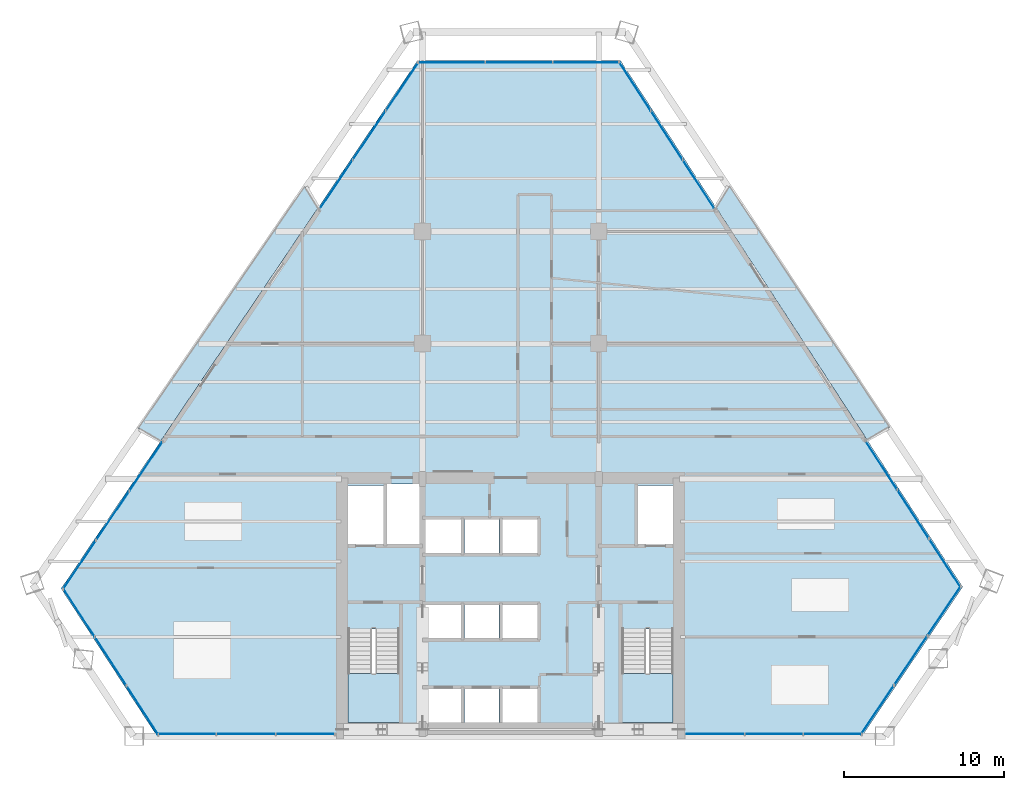
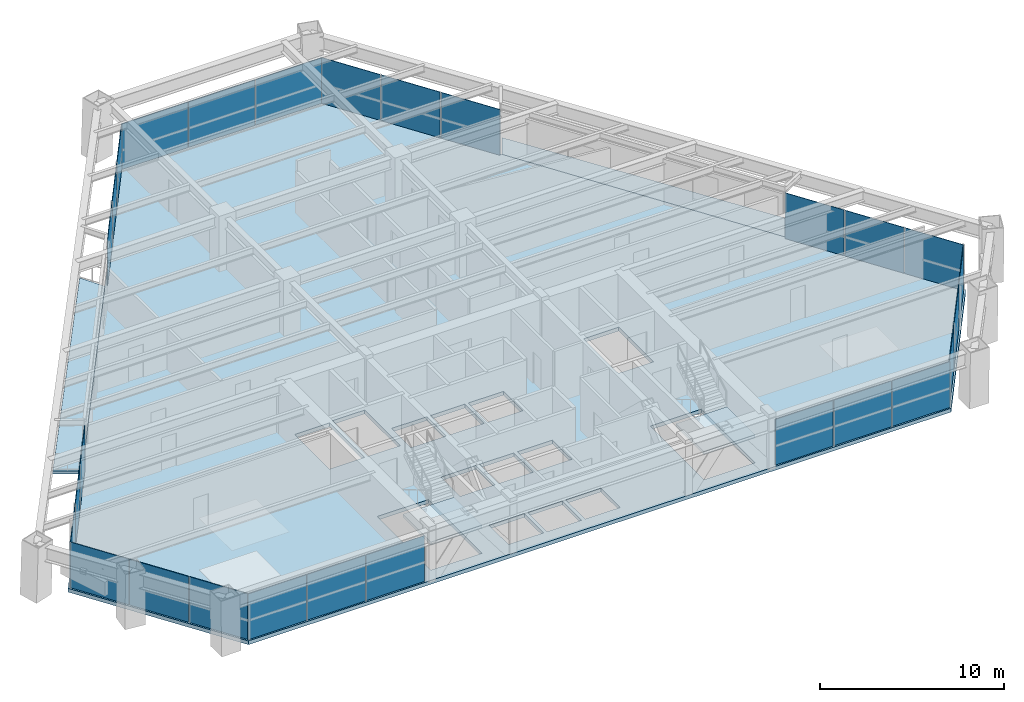
# One storey, part 9 of 14: 27 plates, 5 slabs, 11 elements without a shape of their own.
"""IFC4 building model written with IfcOpenShell, lengths in metres."""

from ifc_helpers import new_model, si_unit, direction, frame, origin, origin_2d, place, context, subcontext, project, spatial, polyline, rectangle, outline, extrude, source, transform, mapped, material, layer, layer_set, type_object, element, aggregate, save


model = new_model("IFC4")

# Units and contexts
model_context = context("Model", 3, precision=1e-05, world=origin(), true_north=direction((0.0, 1.0)))
body_context = subcontext(model_context, "Body", "Model", "MODEL_VIEW")
ifc_project = project(units=[si_unit("LENGTHUNIT", "METRE"), si_unit("AREAUNIT", "SQUARE_METRE"), si_unit("VOLUMEUNIT", "CUBIC_METRE"), si_unit("PLANEANGLEUNIT", "RADIAN"), si_unit("MASSUNIT", "GRAM", prefix="KILO")], contexts=[model_context])

# Site, building, storey
site_placement = place(None, origin())
site = spatial("IfcSite", under=ifc_project, at=site_placement, CompositionType="ELEMENT")
building_placement = place(site_placement, origin())
building = spatial("IfcBuilding", under=site, at=building_placement, Name="Varnakhor Terracotta Tower", CompositionType="ELEMENT")
storey_placement = place(building_placement, frame((0.0, 0.0, 87.699951171875)))
storey = spatial("IfcBuildingStorey", under=building, at=storey_placement, Name="L21", CompositionType="ELEMENT", Elevation=87.699951171875)

# Stair, slab
ifc_material_1 = material(Name="Concrete C40/50", Category="concrete")
stair_type = type_object("IfcStairType", Name="STR-CORE-OFFICE-1500", PredefinedType="HALF_TURN_STAIR", material=ifc_material_1)
stair_1_placement = place(storey_placement, origin())
stair_1 = element("IfcStair", 1, at=stair_1_placement, inside=storey, type_object=stair_type, Name="L21 Core Exit Stair ST-1", PredefinedType="HALF_TURN_STAIR")
ifc_layer_1 = layer(ifc_material_1, 0.179931640625, Name="Concrete C40/50")
ifc_layer_set_1 = layer_set([ifc_layer_1], Name="Concrete C40/50")
slab_type_1 = type_object("IfcSlabType", Name="SLB-LANDING-180", PredefinedType="LANDING", material=ifc_layer_set_1)
slab_1_placement = place(storey_placement, frame((0.0, 0.0, 1.650146484375)))
slab_1 = element("IfcSlab", 2, at=slab_1_placement, type_object=slab_type_1, Name="ST-1 landing 1", PredefinedType="LANDING", context=body_context, shape_type="SweptSolid", body=[
    extrude(outline(polyline([(-10.14990234375, 3.909912109375), (-10.14990234375, 0.85009765625), (-6.949951171875, 0.85009765625), (-6.949951171875, 3.909912109375), (-10.14990234375, 3.909912109375)])), origin(), (0.0, 0.0, 1.0), 0.199951171875),
])
aggregate(stair_1, [slab_1])

stair_2_placement = place(storey_placement, origin())
stair_2 = element("IfcStair", 3, at=stair_2_placement, inside=storey, type_object=stair_type, Name="L21 Core Exit Stair ST-2", PredefinedType="HALF_TURN_STAIR")
slab_2_placement = place(storey_placement, frame((0.0, 0.0, 1.650146484375)))
slab_2 = element("IfcSlab", 4, at=slab_2_placement, type_object=slab_type_1, Name="ST-2 landing 1", PredefinedType="LANDING", context=body_context, shape_type="SweptSolid", body=[
    extrude(outline(polyline([(6.949951171875, 3.909912109375), (6.949951171875, 0.85009765625), (10.14990234375, 0.85009765625), (10.14990234375, 3.909912109375), (6.949951171875, 3.909912109375)])), origin(), (0.0, 0.0, 1.0), 0.199951171875),
])
aggregate(stair_2, [slab_2])

# Slabs
ifc_layer_2 = layer(ifc_material_1, 0.195068359375, Name="Concrete C40/50")
ifc_layer_set_2 = layer_set([ifc_layer_2], Name="Concrete C40/50")
slab_type_2 = type_object("IfcSlabType", Name="SLB-LOGGIA-EXT-195", PredefinedType="FLOOR", material=ifc_layer_set_2)
slab_3_placement = place(storey_placement, frame((0.0, 0.0, -0.195068359375)))
element("IfcSlab", 5, at=slab_3_placement, inside=storey, type_object=slab_type_2, Name="L21 E Recessed Outdoor Loggia Slab", PredefinedType="FLOOR", context=body_context, shape_type="SweptSolid", body=[
    extrude(outline(polyline([(13.635009765625, 34.34619140625), (23.65087890625, 19.283935546875), (22.238037109375, 18.514404296875), (19.746337890625, 22.347412109375), (12.8369140625, 32.975830078125), (13.635009765625, 34.34619140625)])), origin(), (0.0, 0.0, 1.0), 0.195068359375),
])
slab_4_placement = place(storey_placement, frame((0.0, 0.0, -0.195068359375)))
element("IfcSlab", 6, at=slab_4_placement, inside=storey, type_object=slab_type_2, Name="L21 W Recessed Outdoor Loggia Slab", PredefinedType="FLOOR", context=body_context, shape_type="SweptSolid", body=[
    extrude(outline(polyline([(-23.248779296875, 19.20361328125), (-12.842041015625, 34.31494140625), (-12.04296875, 32.94580078125), (-16.0361328125, 27.02783203125), (-21.8330078125, 18.4375), (-23.248779296875, 19.20361328125)])), origin(), (0.0, 0.0, 1.0), 0.195068359375),
])
ifc_layer_3 = layer(ifc_material_1, 0.25, Name="Concrete C40/50")
ifc_layer_set_3 = layer_set([ifc_layer_3], Name="Concrete C40/50")
slab_type_3 = type_object("IfcSlabType", Name="SLB-OFF-250", PredefinedType="FLOOR", material=ifc_layer_set_3)
slab_5_placement = place(storey_placement, frame((0.0, 0.0, -0.25)))
element("IfcSlab", 7, at=slab_5_placement, inside=storey, type_object=slab_type_3, Name="L21 Structural Floor Slab", PredefinedType="FLOOR", context=body_context, shape_type="SweptSolid", body=[
    extrude(outline(polyline([(-28.06298828125, 9.20458984375), (-5.81298828125, 42.178466796875), (6.8544921875, 42.178466796875), (28.220458984375, 9.31201171875), (21.93701171875, 0.0), (-22.0791015625, 0.0), (-28.06298828125, 9.20458984375)]), holes=[polyline([(-3.10009765625, 0.85009765625), (-3.10009765625, 2.949951171875), (-5.300048828125, 2.949951171875), (-5.300048828125, 0.85009765625), (-3.10009765625, 0.85009765625)]), polyline([(-2.8798828125, 0.85009765625), (-0.719970703125, 0.85009765625), (-0.719970703125, 2.949951171875), (-2.8798828125, 2.949951171875), (-2.8798828125, 0.85009765625)]), polyline([(-10.14990234375, 0.85009765625), (-6.949951171875, 0.85009765625), (-6.949951171875, 6.695068359375), (-10.14990234375, 6.695068359375), (-10.14990234375, 0.85009765625)]), polyline([(-5.300048828125, 6.10009765625), (-3.10009765625, 6.10009765625), (-3.10009765625, 8.199951171875), (-5.300048828125, 8.199951171875), (-5.300048828125, 6.10009765625)]), polyline([(-5.300048828125, 11.419921875), (-3.10009765625, 11.419921875), (-3.10009765625, 13.52001953125), (-5.300048828125, 13.52001953125), (-5.300048828125, 11.419921875)]), polyline([(-10.14990234375, 11.8798828125), (-7.949951171875, 11.8798828125), (-7.949951171875, 15.64990234375), (-10.14990234375, 15.64990234375), (-10.14990234375, 11.8798828125)]), polyline([(-7.72998046875, 11.8798828125), (-5.699951171875, 11.8798828125), (-5.699951171875, 15.75), (-7.72998046875, 15.75), (-7.72998046875, 11.8798828125)]), polyline([(1.699951171875, 0.85009765625), (1.699951171875, 2.949951171875), (-0.5, 2.949951171875), (-0.5, 0.85009765625), (1.699951171875, 0.85009765625)]), polyline([(6.949951171875, 0.85009765625), (10.14990234375, 0.85009765625), (10.14990234375, 6.695068359375), (6.949951171875, 6.695068359375), (6.949951171875, 0.85009765625)]), polyline([(-2.8798828125, 6.10009765625), (-0.719970703125, 6.10009765625), (-0.719970703125, 8.199951171875), (-2.8798828125, 8.199951171875), (-2.8798828125, 6.10009765625)]), polyline([(-0.5, 6.10009765625), (1.699951171875, 6.10009765625), (1.699951171875, 8.199951171875), (-0.5, 8.199951171875), (-0.5, 6.10009765625)]), polyline([(-2.8798828125, 11.419921875), (-0.719970703125, 11.419921875), (-0.719970703125, 13.52001953125), (-2.8798828125, 13.52001953125), (-2.8798828125, 11.419921875)]), polyline([(-0.5, 11.419921875), (1.699951171875, 11.419921875), (1.699951171875, 13.52001953125), (-0.5, 13.52001953125), (-0.5, 11.419921875)]), polyline([(7.949951171875, 11.8798828125), (10.14990234375, 11.8798828125), (10.14990234375, 15.64990234375), (7.949951171875, 15.64990234375), (7.949951171875, 11.8798828125)])]), origin(), (0.0, 0.0, 1.0), 0.25),
])

# Curtain wall, plates
ifc_material_2 = material(Name="Anodised Aluminium Curtain Wall System", Category="aluminium")
curtain_wall_type = type_object("IfcCurtainWallType", Name="CW-SYS-LOW-OFFICE", PredefinedType="NOTDEFINED", material=ifc_material_2)
curtain_wall_1_placement = place(storey_placement, origin())
curtain_wall_1 = element("IfcCurtainWall", 8, at=curtain_wall_1_placement, inside=storey, type_object=curtain_wall_type, Name="L21 W Facet Curtain Wall 1", PredefinedType="NOTDEFINED")
ifc_material_3 = material(Name="Solar-Control Low-E Insulated Glass Panel", Category="glass")
ifc_layer_4 = layer(ifc_material_3, 0.0380859375, Name="Solar-Control Low-E Insulated Glass Panel")
ifc_layer_set_4 = layer_set([ifc_layer_4], Name="Solar-Control Low-E Insulated Glass Panel")
plate_type = type_object("IfcPlateType", Name="CWP-02", PredefinedType="CURTAIN_PANEL", material=ifc_layer_set_4)
shared_shape_1 = source(origin(), body_context, "Body", "SweptSolid", [
    extrude(rectangle(XDim=3.652587890625, YDim=0.035888671875, at=origin_2d()), origin(), (0.0, 0.0, 1.0), 3.030029296875),
])
plate_1_placement = place(storey_placement, frame((-26.913818359375, 10.69287109375, 0.0), z_axis=(0.0, 0.0, 1.0), x_axis=(0.559337589306, 0.828939962355, 0.0)))
plate_1 = element("IfcPlate", 9, at=plate_1_placement, type_object=plate_type, Name="L21 W Facet Curtain Wall 1 Glazed Panel 1", PredefinedType="CURTAIN_PANEL", context=body_context, shape_type="MappedRepresentation", body=[
    mapped(shared_shape_1, transform((0.0, 0.0, 0.0), scale=1.0)),
])
plate_2_placement = place(storey_placement, frame((-24.848388671875, 13.75390625, 0.0), z_axis=(0.0, 0.0, 1.0), x_axis=(0.559337589306, 0.828939962355, 0.0)))
plate_2 = element("IfcPlate", 10, at=plate_2_placement, type_object=plate_type, Name="L21 W Facet Curtain Wall 1 Glazed Panel 2", PredefinedType="CURTAIN_PANEL", context=body_context, shape_type="MappedRepresentation", body=[
    mapped(shared_shape_1, transform((0.0, 0.0, 0.0), scale=1.0)),
])
plate_3_placement = place(storey_placement, frame((-22.782958984375, 16.81494140625, 0.0), z_axis=(0.0, 0.0, 1.0), x_axis=(0.559337589306, 0.828939962355, 0.0)))
plate_3 = element("IfcPlate", 11, at=plate_3_placement, type_object=plate_type, Name="L21 W Facet Curtain Wall 1 Glazed Panel 3", PredefinedType="CURTAIN_PANEL", context=body_context, shape_type="MappedRepresentation", body=[
    mapped(shared_shape_1, transform((0.0, 0.0, 0.0), scale=1.0)),
])
aggregate(curtain_wall_1, [plate_1, plate_2, plate_3])

curtain_wall_2_placement = place(storey_placement, origin())
curtain_wall_2 = element("IfcCurtainWall", 12, at=curtain_wall_2_placement, inside=storey, type_object=curtain_wall_type, Name="L21 W Facet Curtain Wall 2", PredefinedType="NOTDEFINED")
plate_4_placement = place(storey_placement, frame((-10.89404296875, 34.43408203125, 0.0), z_axis=(0.0, 0.0, 1.0), x_axis=(0.559337589306, 0.828939962355, 0.0)))
plate_4 = element("IfcPlate", 13, at=plate_4_placement, type_object=plate_type, Name="L21 W Facet Curtain Wall 2 Glazed Panel 1", PredefinedType="CURTAIN_PANEL", context=body_context, shape_type="MappedRepresentation", body=[
    mapped(shared_shape_1, transform((0.0, 0.0, 0.0), scale=1.0)),
])
plate_5_placement = place(storey_placement, frame((-8.82861328125, 37.4951171875, 0.0), z_axis=(0.0, 0.0, 1.0), x_axis=(0.559337589306, 0.828939962355, 0.0)))
plate_5 = element("IfcPlate", 14, at=plate_5_placement, type_object=plate_type, Name="L21 W Facet Curtain Wall 2 Glazed Panel 2", PredefinedType="CURTAIN_PANEL", context=body_context, shape_type="MappedRepresentation", body=[
    mapped(shared_shape_1, transform((0.0, 0.0, 0.0), scale=1.0)),
])
plate_6_placement = place(storey_placement, frame((-6.762939453125, 40.555908203125, 0.0), z_axis=(0.0, 0.0, 1.0), x_axis=(0.559337589306, 0.828939962355, 0.0)))
plate_6 = element("IfcPlate", 15, at=plate_6_placement, type_object=plate_type, Name="L21 W Facet Curtain Wall 2 Glazed Panel 3", PredefinedType="CURTAIN_PANEL", context=body_context, shape_type="MappedRepresentation", body=[
    mapped(shared_shape_1, transform((0.0, 0.0, 0.0), scale=1.0)),
])
aggregate(curtain_wall_2, [plate_4, plate_5, plate_6])

curtain_wall_3_placement = place(storey_placement, origin())
curtain_wall_3 = element("IfcCurtainWall", 16, at=curtain_wall_3_placement, inside=storey, type_object=curtain_wall_type, Name="L21 Facet Curtain Wall 2", PredefinedType="NOTDEFINED")
shared_shape_2 = source(origin(), body_context, "Body", "SweptSolid", [
    extrude(rectangle(XDim=4.16259765625, YDim=0.035888671875, at=origin_2d()), origin(), (0.0, 0.0, 1.0), 3.030029296875),
])
plate_7_placement = place(storey_placement, frame((-3.681884765625, 42.05859375, 0.0), z_axis=(0.0, 0.0, 1.0), x_axis=(1.0, 0.0, 0.0)))
plate_7 = element("IfcPlate", 17, at=plate_7_placement, type_object=plate_type, Name="L21 Facet Curtain Wall 2 Glazed Panel 1", PredefinedType="CURTAIN_PANEL", context=body_context, shape_type="MappedRepresentation", body=[
    mapped(shared_shape_2, transform((0.0, 0.0, 0.0), scale=1.0)),
])
plate_8_placement = place(storey_placement, frame((0.520751953125, 42.05859375, 0.0), z_axis=(0.0, 0.0, 1.0), x_axis=(1.0, 0.0, 0.0)))
plate_8 = element("IfcPlate", 18, at=plate_8_placement, type_object=plate_type, Name="L21 Facet Curtain Wall 2 Glazed Panel 2", PredefinedType="CURTAIN_PANEL", context=body_context, shape_type="MappedRepresentation", body=[
    mapped(shared_shape_2, transform((0.0, 0.0, 0.0), scale=1.0)),
])
plate_9_placement = place(storey_placement, frame((4.723388671875, 42.05859375, 0.0), z_axis=(0.0, 0.0, 1.0), x_axis=(1.0, 0.0, 0.0)))
plate_9 = element("IfcPlate", 19, at=plate_9_placement, type_object=plate_type, Name="L21 Facet Curtain Wall 2 Glazed Panel 3", PredefinedType="CURTAIN_PANEL", context=body_context, shape_type="MappedRepresentation", body=[
    mapped(shared_shape_2, transform((0.0, 0.0, 0.0), scale=1.0)),
])
aggregate(curtain_wall_3, [plate_7, plate_8, plate_9])

curtain_wall_4_placement = place(storey_placement, origin())
curtain_wall_4 = element("IfcCurtainWall", 20, at=curtain_wall_4_placement, inside=storey, type_object=curtain_wall_type, Name="L21 E Facet Curtain Wall 1", PredefinedType="NOTDEFINED")
shared_shape_3 = source(origin(), body_context, "Body", "SweptSolid", [
    extrude(rectangle(XDim=3.5986328125, YDim=0.035888671875, at=origin_2d()), origin(), (0.0, 0.0, 1.0), 3.030029296875),
])
plate_10_placement = place(storey_placement, frame((7.761962890625, 40.5625, 0.0), z_axis=(0.0, 0.0, 1.0), x_axis=(0.545034188722, -0.838413819736, 0.0)))
plate_10 = element("IfcPlate", 21, at=plate_10_placement, type_object=plate_type, Name="L21 E Facet Curtain Wall 1 Glazed Panel 1", PredefinedType="CURTAIN_PANEL", context=body_context, shape_type="MappedRepresentation", body=[
    mapped(shared_shape_3, transform((0.0, 0.0, 0.0), scale=1.0)),
])
plate_11_placement = place(storey_placement, frame((11.728515625, 34.4609375, 0.0), z_axis=(0.0, 0.0, 1.0), x_axis=(0.545034188722, -0.838413819736, 0.0)))
plate_11 = element("IfcPlate", 22, at=plate_11_placement, type_object=plate_type, Name="L21 E Facet Curtain Wall 1 Glazed Panel 3", PredefinedType="CURTAIN_PANEL", context=body_context, shape_type="MappedRepresentation", body=[
    mapped(shared_shape_3, transform((0.0, 0.0, 0.0), scale=1.0)),
])

curtain_wall_5_placement = place(storey_placement, origin())
curtain_wall_5 = element("IfcCurtainWall", 23, at=curtain_wall_5_placement, inside=storey, type_object=curtain_wall_type, Name="L21 E Facet Curtain Wall 2", PredefinedType="NOTDEFINED")
plate_12_placement = place(storey_placement, frame((23.1455078125, 16.898681640625, 0.0), z_axis=(0.0, 0.0, 1.0), x_axis=(0.545034188722, -0.838413819736, 0.0)))
plate_12 = element("IfcPlate", 24, at=plate_12_placement, type_object=plate_type, Name="L21 E Facet Curtain Wall 2 Glazed Panel 1", PredefinedType="CURTAIN_PANEL", context=body_context, shape_type="MappedRepresentation", body=[
    mapped(shared_shape_3, transform((0.0, 0.0, 0.0), scale=1.0)),
])
plate_13_placement = place(storey_placement, frame((27.11181640625, 10.797119140625, 0.0), z_axis=(0.0, 0.0, 1.0), x_axis=(0.545034188722, -0.838413819736, 0.0)))
plate_13 = element("IfcPlate", 25, at=plate_13_placement, type_object=plate_type, Name="L21 E Facet Curtain Wall 2 Glazed Panel 3", PredefinedType="CURTAIN_PANEL", context=body_context, shape_type="MappedRepresentation", body=[
    mapped(shared_shape_3, transform((0.0, 0.0, 0.0), scale=1.0)),
])

# Plate
shared_shape_4 = source(origin(), body_context, "Body", "SweptSolid", [
    extrude(rectangle(XDim=3.598876953125, YDim=0.035888671875, at=origin_2d()), origin(), (0.0, 0.0, 1.0), 3.030029296875),
])
plate_14_placement = place(storey_placement, frame((9.7451171875, 37.51171875, 0.0), z_axis=(0.0, 0.0, 1.0), x_axis=(0.545034188722, -0.838413819736, 0.0)))
plate_14 = element("IfcPlate", 26, at=plate_14_placement, type_object=plate_type, Name="L21 E Facet Curtain Wall 1 Glazed Panel 2", PredefinedType="CURTAIN_PANEL", context=body_context, shape_type="MappedRepresentation", body=[
    mapped(shared_shape_4, transform((0.0, 0.0, 0.0), scale=1.0)),
])

aggregate(curtain_wall_4, [plate_10, plate_14, plate_11])

plate_15_placement = place(storey_placement, frame((25.128662109375, 13.847900390625, 0.0), z_axis=(0.0, 0.0, 1.0), x_axis=(0.545034188722, -0.838413819736, 0.0)))
plate_15 = element("IfcPlate", 27, at=plate_15_placement, type_object=plate_type, Name="L21 E Facet Curtain Wall 2 Glazed Panel 2", PredefinedType="CURTAIN_PANEL", context=body_context, shape_type="MappedRepresentation", body=[
    mapped(shared_shape_4, transform((0.0, 0.0, 0.0), scale=1.0)),
])

aggregate(curtain_wall_5, [plate_12, plate_15, plate_13])

# Curtain wall, plates
curtain_wall_6_placement = place(storey_placement, origin())
curtain_wall_6 = element("IfcCurtainWall", 28, at=curtain_wall_6_placement, inside=storey, type_object=curtain_wall_type, Name="L21 Facet Curtain Wall 4", PredefinedType="NOTDEFINED")
shared_shape_5 = source(origin(), body_context, "Body", "SweptSolid", [
    extrude(rectangle(XDim=3.6845703125, YDim=0.035888671875, at=origin_2d()), origin(), (0.0, 0.0, 1.0), 3.030029296875),
])
plate_16_placement = place(storey_placement, frame((27.0625, 7.810546875, 0.0), z_axis=(0.0, 0.0, 1.0), x_axis=(-0.559337589306, -0.828939962355, 0.0)))
plate_16 = element("IfcPlate", 29, at=plate_16_placement, type_object=plate_type, Name="L21 Facet Curtain Wall 4 Glazed Panel 1", PredefinedType="CURTAIN_PANEL", context=body_context, shape_type="MappedRepresentation", body=[
    mapped(shared_shape_5, transform((0.0, 0.0, 0.0), scale=1.0)),
])
plate_17_placement = place(storey_placement, frame((24.9794921875, 4.72314453125, 0.0), z_axis=(0.0, 0.0, 1.0), x_axis=(-0.559337589306, -0.828939962355, 0.0)))
plate_17 = element("IfcPlate", 30, at=plate_17_placement, type_object=plate_type, Name="L21 Facet Curtain Wall 4 Glazed Panel 2", PredefinedType="CURTAIN_PANEL", context=body_context, shape_type="MappedRepresentation", body=[
    mapped(shared_shape_5, transform((0.0, 0.0, 0.0), scale=1.0)),
])
plate_18_placement = place(storey_placement, frame((22.89599609375, 1.6357421875, 0.0), z_axis=(0.0, 0.0, 1.0), x_axis=(-0.559337589306, -0.828939962355, 0.0)))
plate_18 = element("IfcPlate", 31, at=plate_18_placement, type_object=plate_type, Name="L21 Facet Curtain Wall 4 Glazed Panel 3", PredefinedType="CURTAIN_PANEL", context=body_context, shape_type="MappedRepresentation", body=[
    mapped(shared_shape_5, transform((0.0, 0.0, 0.0), scale=1.0)),
])
aggregate(curtain_wall_6, [plate_16, plate_17, plate_18])

curtain_wall_7_placement = place(storey_placement, origin())
curtain_wall_7 = element("IfcCurtainWall", 32, at=curtain_wall_7_placement, inside=storey, type_object=curtain_wall_type, Name="L21 South Wing Curtain Wall SSE", PredefinedType="NOTDEFINED")
shared_shape_6 = source(origin(), body_context, "Body", "SweptSolid", [
    extrude(rectangle(XDim=3.6123046875, YDim=0.035888671875, at=origin_2d()), origin(), (0.0, 0.0, 1.0), 3.030029296875),
])
plate_19_placement = place(storey_placement, frame((20.100830078125, 0.1201171875, 0.0), z_axis=(0.0, 0.0, 1.0), x_axis=(-1.0, 0.0, 0.0)))
plate_19 = element("IfcPlate", 33, at=plate_19_placement, type_object=plate_type, Name="L21 South Wing Curtain Wall SSE Glazed Panel 1", PredefinedType="CURTAIN_PANEL", context=body_context, shape_type="MappedRepresentation", body=[
    mapped(shared_shape_6, transform((0.0, 0.0, 0.0), scale=1.0)),
])
plate_20_placement = place(storey_placement, frame((16.448486328125, 0.1201171875, 0.0), z_axis=(0.0, 0.0, 1.0), x_axis=(-1.0, 0.0, 0.0)))
plate_20 = element("IfcPlate", 34, at=plate_20_placement, type_object=plate_type, Name="L21 South Wing Curtain Wall SSE Glazed Panel 2", PredefinedType="CURTAIN_PANEL", context=body_context, shape_type="MappedRepresentation", body=[
    mapped(shared_shape_6, transform((0.0, 0.0, 0.0), scale=1.0)),
])
plate_21_placement = place(storey_placement, frame((12.796142578125, 0.1201171875, 0.0), z_axis=(0.0, 0.0, 1.0), x_axis=(-1.0, 0.0, 0.0)))
plate_21 = element("IfcPlate", 35, at=plate_21_placement, type_object=plate_type, Name="L21 South Wing Curtain Wall SSE Glazed Panel 3", PredefinedType="CURTAIN_PANEL", context=body_context, shape_type="MappedRepresentation", body=[
    mapped(shared_shape_6, transform((0.0, 0.0, 0.0), scale=1.0)),
])
aggregate(curtain_wall_7, [plate_19, plate_20, plate_21])

curtain_wall_8_placement = place(storey_placement, origin())
curtain_wall_8 = element("IfcCurtainWall", 36, at=curtain_wall_8_placement, inside=storey, type_object=curtain_wall_type, Name="L21 South Wing Curtain Wall SSW", PredefinedType="NOTDEFINED")
shared_shape_7 = source(origin(), body_context, "Body", "SweptSolid", [
    extrude(rectangle(XDim=3.65966796875, YDim=0.035888671875, at=origin_2d()), origin(), (0.0, 0.0, 1.0), 3.030029296875),
])
plate_22_placement = place(storey_placement, frame((-12.81982421875, 0.1201171875, 0.0), z_axis=(0.0, 0.0, 1.0), x_axis=(-1.0, 0.0, 0.0)))
plate_22 = element("IfcPlate", 37, at=plate_22_placement, type_object=plate_type, Name="L21 South Wing Curtain Wall SSW Glazed Panel 1", PredefinedType="CURTAIN_PANEL", context=body_context, shape_type="MappedRepresentation", body=[
    mapped(shared_shape_7, transform((0.0, 0.0, 0.0), scale=1.0)),
])
plate_23_placement = place(storey_placement, frame((-16.51953125, 0.1201171875, 0.0), z_axis=(0.0, 0.0, 1.0), x_axis=(-1.0, 0.0, 0.0)))
plate_23 = element("IfcPlate", 38, at=plate_23_placement, type_object=plate_type, Name="L21 South Wing Curtain Wall SSW Glazed Panel 2", PredefinedType="CURTAIN_PANEL", context=body_context, shape_type="MappedRepresentation", body=[
    mapped(shared_shape_7, transform((0.0, 0.0, 0.0), scale=1.0)),
])
plate_24_placement = place(storey_placement, frame((-20.218994140625, 0.1201171875, 0.0), z_axis=(0.0, 0.0, 1.0), x_axis=(-1.0, 0.0, 0.0)))
plate_24 = element("IfcPlate", 39, at=plate_24_placement, type_object=plate_type, Name="L21 South Wing Curtain Wall SSW Glazed Panel 3", PredefinedType="CURTAIN_PANEL", context=body_context, shape_type="MappedRepresentation", body=[
    mapped(shared_shape_7, transform((0.0, 0.0, 0.0), scale=1.0)),
])
aggregate(curtain_wall_8, [plate_22, plate_23, plate_24])

curtain_wall_9_placement = place(storey_placement, origin())
curtain_wall_9 = element("IfcCurtainWall", 40, at=curtain_wall_9_placement, inside=storey, type_object=curtain_wall_type, Name="L21 Facet Curtain Wall 6", PredefinedType="NOTDEFINED")
shared_shape_8 = source(origin(), body_context, "Body", "SweptSolid", [
    extrude(rectangle(XDim=3.599609375, YDim=0.035888671875, at=origin_2d()), origin(), (0.0, 0.0, 1.0), 3.030029296875),
])
plate_25_placement = place(storey_placement, frame((-22.986572265625, 1.6162109375, 0.0), z_axis=(0.0, 0.0, 1.0), x_axis=(-0.54504882172, 0.838404306967, 0.0)))
plate_25 = element("IfcPlate", 41, at=plate_25_placement, type_object=plate_type, Name="L21 Facet Curtain Wall 6 Glazed Panel 1", PredefinedType="CURTAIN_PANEL", context=body_context, shape_type="MappedRepresentation", body=[
    mapped(shared_shape_8, transform((0.0, 0.0, 0.0), scale=1.0)),
])
plate_26_placement = place(storey_placement, frame((-24.97021484375, 4.667724609375, 0.0), z_axis=(0.0, 0.0, 1.0), x_axis=(-0.54504882172, 0.838404306967, 0.0)))
plate_26 = element("IfcPlate", 42, at=plate_26_placement, type_object=plate_type, Name="L21 Facet Curtain Wall 6 Glazed Panel 2", PredefinedType="CURTAIN_PANEL", context=body_context, shape_type="MappedRepresentation", body=[
    mapped(shared_shape_8, transform((0.0, 0.0, 0.0), scale=1.0)),
])
plate_27_placement = place(storey_placement, frame((-26.9541015625, 7.71923828125, 0.0), z_axis=(0.0, 0.0, 1.0), x_axis=(-0.54504882172, 0.838404306967, 0.0)))
plate_27 = element("IfcPlate", 43, at=plate_27_placement, type_object=plate_type, Name="L21 Facet Curtain Wall 6 Glazed Panel 3", PredefinedType="CURTAIN_PANEL", context=body_context, shape_type="MappedRepresentation", body=[
    mapped(shared_shape_8, transform((0.0, 0.0, 0.0), scale=1.0)),
])
aggregate(curtain_wall_9, [plate_25, plate_26, plate_27])

save(model, "model.ifc")
